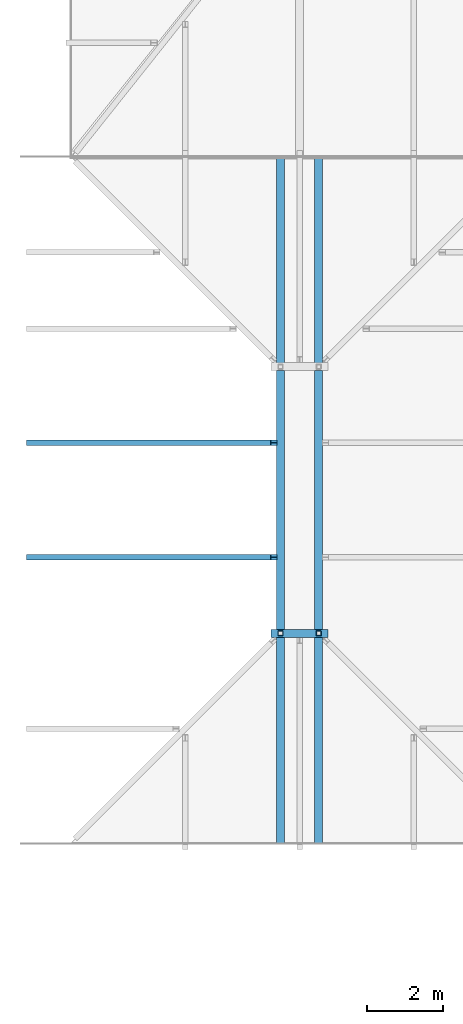
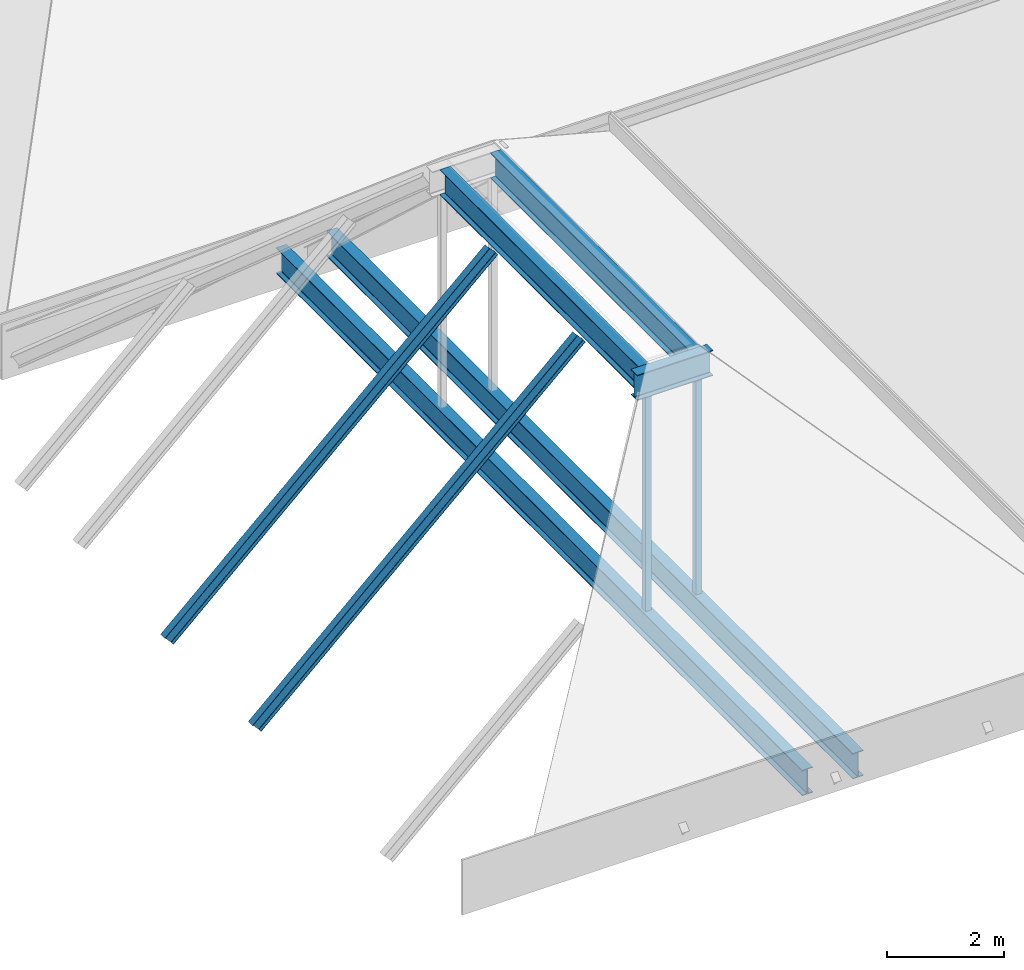
# One storey, part 21 of 57: 5 beams, 4 members.
"""IFC4 building model written with IfcOpenShell, lengths in metres."""

from ifc_helpers import new_model, si_unit, direction, frame, origin, origin_2d, place, context, subcontext, project, spatial, hollow_rectangle, i_section, extrude, material, material_profile, profile_set, type_object, element, save


model = new_model("IFC4")

# Units and contexts
model_context = context("Model", 3, precision=1e-05, world=origin(), true_north=direction((0.0, 1.0)))
body_context = subcontext(model_context, "Body", "Model", "MODEL_VIEW")
ifc_project = project(units=[si_unit("LENGTHUNIT", "METRE"), si_unit("AREAUNIT", "SQUARE_METRE"), si_unit("VOLUMEUNIT", "CUBIC_METRE"), si_unit("PLANEANGLEUNIT", "RADIAN"), si_unit("MASSUNIT", "GRAM", prefix="KILO")], contexts=[model_context])

# Site, building, storey
site_placement = place(None, origin())
site = spatial("IfcSite", under=ifc_project, at=site_placement, CompositionType="ELEMENT")
building_placement = place(site_placement, origin())
building = spatial("IfcBuilding", under=site, at=building_placement, Name="Saffron Lane Theatres", CompositionType="ELEMENT")
storey_placement = place(building_placement, frame((0.0, 0.0, 28.0)))
storey = spatial("IfcBuildingStorey", under=building, at=storey_placement, Name="Upper Roof", CompositionType="ELEMENT", Elevation=28.0)

# Beams
ifc_material_1 = material(Name="Steel Grade 350", Category="steel")
ifc_material_profile_1 = material_profile(ifc_material_1, i_section(OverallWidth=0.208984375, OverallDepth=0.532958984375, WebThickness=0.01025390625, FlangeThickness=0.015625, FilletRadius=0.013916015625, at=origin_2d()))
ifc_profile_set_1 = profile_set([ifc_material_profile_1], Name="Steel Grade 350")
beam_type = type_object("IfcBeamType", Name="ST-CROWN GIRDER 530UB92.4", PredefinedType="BEAM", material=ifc_profile_set_1)
beam_placement = place(storey_placement, frame((17.25, 95.5, 5.294677734375), z_axis=(1.0, 0.0, 0.0), x_axis=(0.0, 1.0, 0.0)))
element("IfcBeam", 1, at=beam_placement, inside=storey, type_object=beam_type, Name="BK1-C1", PredefinedType="BEAM", context=body_context, shape_type="SweptSolid", body=[
    extrude(i_section(OverallWidth=0.208984375, OverallDepth=0.532958984375, WebThickness=0.01025390625, FlangeThickness=0.015625, FilletRadius=0.013916015625, at=origin_2d()), origin(), (0.0, 0.0, 1.0), 1.5),
])
for number, where, z_axis, x_axis, name in (
    (2, (17.5, 95.6044921875, 5.294677734375), (0.0, 1.0, 0.0), (-1.0, 0.0, 0.0), "BK1-C3"),
    (3, (18.5, 95.6044921875, 5.294677734375), (0.0, 1.0, 0.0), (-1.0, 0.0, 0.0), "BK1-C4"),
):
    element("IfcBeam", number, at=place(storey_placement, frame(where, z_axis=z_axis, x_axis=x_axis)), inside=storey, type_object=beam_type, Name=name, PredefinedType="BEAM", context=body_context, shape_type="SweptSolid", body=[
        extrude(i_section(OverallWidth=0.208984375, OverallDepth=0.532958984375, WebThickness=0.01025390625, FlangeThickness=0.015625, FilletRadius=0.013916015625, at=origin_2d()), origin(), (0.0, 0.0, 1.0), 6.791015625),
    ])
for number, where, z_axis, x_axis, name in (
    (4, (17.5, 90.0, 0.2666015625), (0.0, 1.0, 0.0), (-1.0, 0.0, 0.0), "BK1-G1"),
    (5, (18.5, 90.0, 0.2666015625), (0.0, 1.0, 0.0), (-1.0, 0.0, 0.0), "BK1-G2"),
):
    element("IfcBeam", number, at=place(storey_placement, frame(where, z_axis=z_axis, x_axis=x_axis)), inside=storey, type_object=beam_type, Name=name, PredefinedType="BEAM", context=body_context, shape_type="SweptSolid", body=[
        extrude(i_section(OverallWidth=0.208984375, OverallDepth=0.532958984375, WebThickness=0.01025390625, FlangeThickness=0.015625, FilletRadius=0.013916015625, at=origin_2d()), origin(), (0.0, 0.0, 1.0), 18.0),
    ])

# Members
ifc_material_2 = material(Name="Steel Grade 350", Category="steel")
ifc_material_profile_2 = material_profile(ifc_material_2, i_section(OverallWidth=0.14599609375, OverallDepth=0.251953125, WebThickness=0.006103515625, FlangeThickness=0.008544921875, FilletRadius=0.011962890625, at=origin_2d()))
ifc_profile_set_2 = profile_set([ifc_material_profile_2], Name="Steel Grade 350")
member_type_1 = type_object("IfcMemberType", Name="ST-JACK RAFTER 250UB31.4", PredefinedType="RAFTER", material=ifc_profile_set_2)
for number, where, z_axis, x_axis, name in (
    (6, (10.9130859375, 97.5, -0.828857421875), (0.735886873709, 0.0, 0.677104503826), (0.0, 1.0, 0.0), "BK1-K9"),
    (7, (10.9130859375, 100.5, -0.828857421875), (0.735886873709, 0.0, 0.677104503826), (0.0, 1.0, 0.0), "BK1-K11"),
):
    element("IfcMember", number, at=place(storey_placement, frame(where, z_axis=z_axis, x_axis=x_axis)), inside=storey, type_object=member_type_1, Name=name, PredefinedType="RAFTER", context=body_context, shape_type="SweptSolid", body=[
        extrude(i_section(OverallWidth=0.14599609375, OverallDepth=0.251953125, WebThickness=0.006103515625, FlangeThickness=0.008544921875, FilletRadius=0.011962890625, at=origin_2d()), origin(), (0.0, 0.0, 1.0), 8.70947265625),
    ])
ifc_material_3 = material(Name="Steel Grade 350", Category="steel")
ifc_material_profile_3 = material_profile(ifc_material_3, hollow_rectangle(XDim=0.125, YDim=0.125, WallThickness=0.006103515625, InnerFilletRadius=0.0029296875, OuterFilletRadius=0.009033203125, at=origin_2d()))
ifc_profile_set_3 = profile_set([ifc_material_profile_3], Name="Steel Grade 350")
member_type_2 = type_object("IfcMemberType", Name="ST-STUDIO POST 125x125x6 SHS", PredefinedType="POST", material=ifc_profile_set_3)
for number, where, z_axis, x_axis, name in (
    (8, (17.5, 95.5, 0.532958984375), (0.0, 0.0, 1.0), (1.0, 0.0, 0.0), "BK1-P1-95.5"),
    (9, (18.5, 95.5, 0.532958984375), (0.0, 0.0, 1.0), (1.0, 0.0, 0.0), "BK1-P2-95.5"),
):
    element("IfcMember", number, at=place(storey_placement, frame(where, z_axis=z_axis, x_axis=x_axis)), inside=storey, type_object=member_type_2, Name=name, PredefinedType="POST", context=body_context, shape_type="SweptSolid", body=[
        extrude(hollow_rectangle(XDim=0.125, YDim=0.125, WallThickness=0.006103515625, InnerFilletRadius=0.0029296875, OuterFilletRadius=0.009033203125, at=origin_2d()), origin(), (0.0, 0.0, 1.0), 4.4951171875),
    ])

save(model, "model.ifc")
